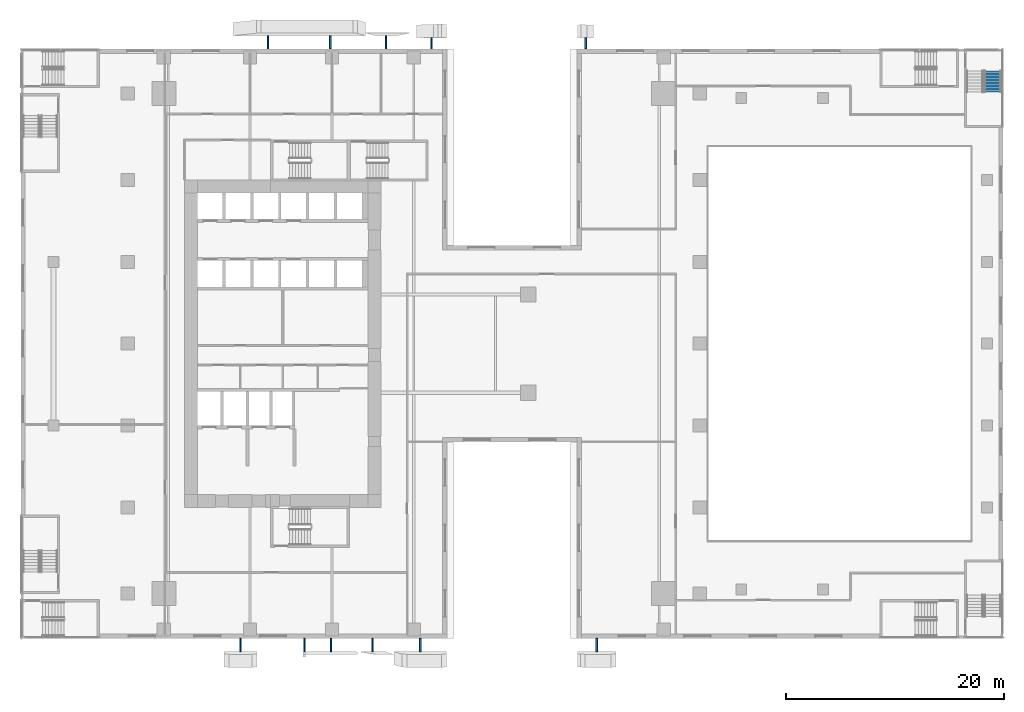
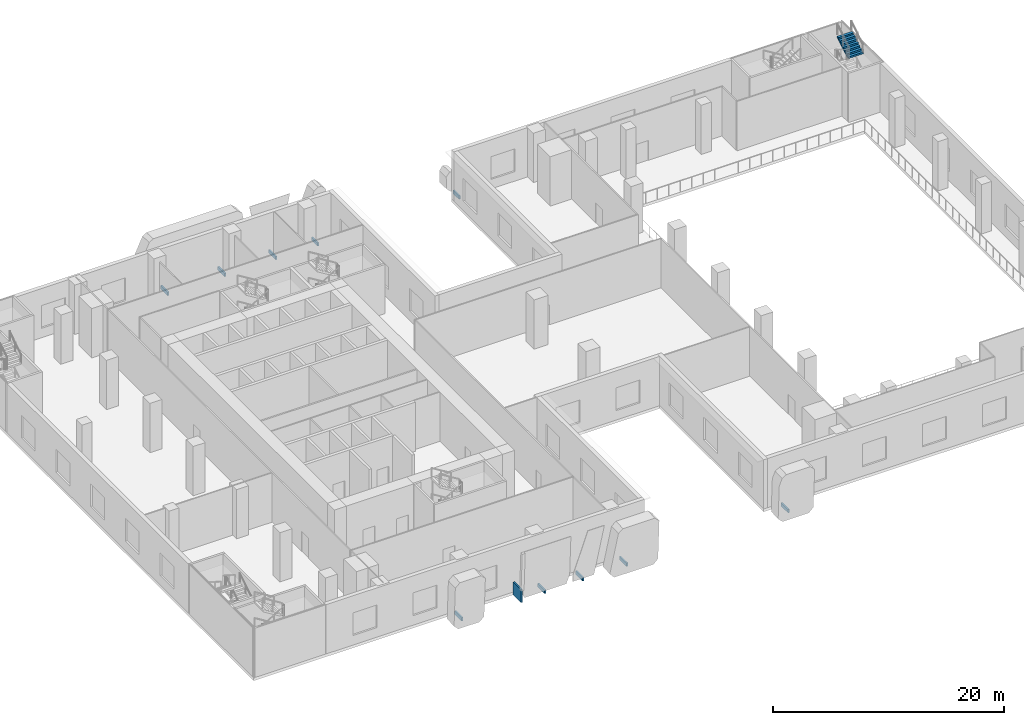
# One storey, part 16 of 23: 11 discrete accessories, 1 stair flight, 1 element without a shape of its own.
"""IFC4 building model written with IfcOpenShell, lengths in metres."""

from ifc_helpers import new_model, si_unit, direction, frame, origin, origin_2d, place, context, subcontext, project, spatial, polyline, rectangle, outline, extrude, source, transform, mapped, material, type_object, element, aggregate, save


model = new_model("IFC4")

# Units and contexts
model_context = context("Model", 3, precision=1e-05, world=origin(), true_north=direction((0.0, 1.0)))
body_context = subcontext(model_context, "Body", "Model", "MODEL_VIEW")
ifc_project = project(units=[si_unit("LENGTHUNIT", "METRE"), si_unit("AREAUNIT", "SQUARE_METRE"), si_unit("VOLUMEUNIT", "CUBIC_METRE"), si_unit("PLANEANGLEUNIT", "RADIAN"), si_unit("MASSUNIT", "GRAM", prefix="KILO")], contexts=[model_context])

# Site, building, storey
site_placement = place(None, origin())
site = spatial("IfcSite", under=ifc_project, at=site_placement, CompositionType="ELEMENT")
building_placement = place(site_placement, origin())
building = spatial("IfcBuilding", under=site, at=building_placement, Name="Khomas Fold Tower", CompositionType="ELEMENT")
storey_placement = place(building_placement, frame((0.0, 0.0, 13.0)))
storey = spatial("IfcBuildingStorey", under=building, at=storey_placement, Name="L02", CompositionType="ELEMENT", Elevation=13.0)

# Stair, stair flight
ifc_material_1 = material(Name="Concrete C40/50", Category="concrete")
stair_type = type_object("IfcStairType", Name="Stair PS6", PredefinedType="HALF_TURN_STAIR", material=ifc_material_1)
stair_placement = place(storey_placement, origin())
stair = element("IfcStair", 1, at=stair_placement, inside=storey, type_object=stair_type, Name="L02 PS6", PredefinedType="HALF_TURN_STAIR")
ifc_material_2 = material(Name="Concrete C40/50", Category="concrete")
stair_flight_type = type_object("IfcStairFlightType", Name="Stair flight 1500 PS6", PredefinedType="STRAIGHT", material=ifc_material_2)
shared_shape_1 = source(origin(), body_context, "Body", "SweptSolid", [
    extrude(outline(polyline([(0.0, 0.0), (0.0, 0.00146484375), (0.0, 0.0029296875), (0.0, 0.004150390625), (0.0, 0.005615234375), (0.0, 0.007080078125), (0.0, 0.008544921875), (0.0, 0.010009765625), (0.0, 0.011474609375), (0.0, 0.0126953125), (0.0, 0.01416015625), (0.0, 0.015625), (0.0, 0.01708984375), (0.0, 0.0185546875), (0.0, 0.019775390625), (0.0, 0.021240234375), (0.0, 0.022705078125), (0.0, 0.024169921875), (0.0, 0.025634765625), (0.0, 0.027099609375), (0.0, 0.0283203125), (0.0, 0.02978515625), (0.0, 0.03125), (0.0, 0.03271484375), (0.0, 0.0341796875), (0.0, 0.035400390625), (0.0, 0.036865234375), (0.0, 0.038330078125), (0.0, 0.039794921875), (0.0, 0.041259765625), (0.0, 0.042724609375), (0.0, 0.0439453125), (0.0, 0.04541015625), (0.0, 0.046875), (0.0, 0.04833984375), (0.0, 0.0498046875), (0.0, 0.051025390625), (0.0, 0.052490234375), (0.0, 0.053955078125), (0.0, 0.055419921875), (0.0, 0.056884765625), (0.0, 0.058349609375), (0.0, 0.0595703125), (0.0, 0.06103515625), (0.0, 0.0625), (0.0, 0.06396484375), (0.0, 0.0654296875), (0.0, 0.066650390625), (0.0, 0.068115234375), (0.0, 0.069580078125), (0.0, 0.071044921875), (0.0, 0.072509765625), (0.0, 0.073974609375), (0.0, 0.0751953125), (0.0, 0.07666015625), (0.0, 0.078125), (0.0, 0.07958984375), (0.0, 0.0810546875), (0.0, 0.082275390625), (0.0, 0.083740234375), (0.0, 0.085205078125), (0.0, 0.086669921875), (0.0, 0.088134765625), (0.0, 0.089599609375), (0.0, 0.0908203125), (0.0, 0.09228515625), (0.0, 0.09375), (0.0, 0.09521484375), (0.0, 0.0966796875), (0.0, 0.097900390625), (0.0, 0.099365234375), (0.0, 0.100830078125), (0.0, 0.102294921875), (0.0, 0.103759765625), (0.0, 0.105224609375), (0.0, 0.1064453125), (0.0, 0.10791015625), (0.0, 0.109375), (0.0, 0.11083984375), (0.0, 0.1123046875), (0.0, 0.113525390625), (0.0, 0.114990234375), (0.0, 0.116455078125), (0.0, 0.117919921875), (0.0, 0.119384765625), (0.0, 0.120849609375), (0.0, 0.1220703125), (0.0, 0.12353515625), (0.0, 0.125), (0.0, 0.12646484375), (0.0, 0.1279296875), (0.0, 0.129150390625), (0.0, 0.130615234375), (0.0, 0.132080078125), (0.0, 0.133544921875), (0.0, 0.135009765625), (0.0, 0.136474609375), (0.0, 0.1376953125), (0.0, 0.13916015625), (0.0, 0.140625), (0.0, 0.14208984375), (0.0, 0.1435546875), (0.0, 0.144775390625), (0.0, 0.146240234375), (0.0, 0.147705078125), (0.0, 0.149169921875), (0.0, 0.150634765625), (0.0, 0.152099609375), (0.0, 0.1533203125), (0.0, 0.15478515625), (0.0, 0.15625), (0.0, 0.15771484375), (0.0, 0.1591796875), (0.0, 0.160400390625), (0.0, 0.161865234375), (0.0, 0.163330078125), (0.0, 0.164794921875), (0.0, 0.166259765625), (0.0, 0.167724609375), (0.0, 0.1689453125), (0.0, 0.17041015625), (0.0, 0.171875), (0.280029296875, 0.171875), (0.280029296875, 0.34375), (0.56005859375, 0.34375), (0.56005859375, 0.515625), (0.840087890625, 0.515625), (0.840087890625, 0.6875), (1.1201171875, 0.6875), (1.1201171875, 0.859375), (1.39990234375, 0.859375), (1.39990234375, 1.03125), (1.679931640625, 1.03125), (1.679931640625, 1.203125), (1.9599609375, 1.203125), (1.9599609375, 1.375), (1.9599609375, 1.3720703125), (1.9599609375, 1.369140625), (1.9599609375, 1.366455078125), (1.9599609375, 1.363525390625), (1.9599609375, 1.360595703125), (1.9599609375, 1.357666015625), (1.9599609375, 1.35498046875), (1.9599609375, 1.35205078125), (1.9599609375, 1.34912109375), (1.9599609375, 1.34619140625), (1.9599609375, 1.343505859375), (1.9599609375, 1.340576171875), (1.9599609375, 1.337646484375), (1.9599609375, 1.334716796875), (1.9599609375, 1.331787109375), (1.9599609375, 1.3291015625), (1.9599609375, 1.326171875), (1.9599609375, 1.3232421875), (1.9599609375, 1.3203125), (1.9599609375, 1.317626953125), (1.9599609375, 1.314697265625), (1.9599609375, 1.311767578125), (1.9599609375, 1.308837890625), (1.9599609375, 1.305908203125), (1.9599609375, 1.30322265625), (1.9599609375, 1.30029296875), (1.9599609375, 1.29736328125), (1.9599609375, 1.29443359375), (1.9599609375, 1.291748046875), (1.9599609375, 1.288818359375), (1.9599609375, 1.285888671875), (1.9599609375, 1.282958984375), (1.9599609375, 1.2802734375), (1.9599609375, 1.27734375), (1.9599609375, 1.2744140625), (1.9599609375, 1.271484375), (1.9599609375, 1.2685546875), (1.9599609375, 1.265869140625), (1.9599609375, 1.262939453125), (1.9599609375, 1.260009765625), (1.9599609375, 1.257080078125), (1.9599609375, 1.25439453125), (1.9599609375, 1.25146484375), (1.9599609375, 1.24853515625), (1.9599609375, 1.24560546875), (1.9599609375, 1.24267578125), (1.9599609375, 1.239990234375), (1.9599609375, 1.237060546875), (1.9599609375, 1.234130859375), (1.9599609375, 1.231201171875), (1.9599609375, 1.228515625), (1.9599609375, 1.2255859375), (1.9599609375, 1.22265625), (1.9599609375, 1.2197265625), (1.9599609375, 1.217041015625), (1.9599609375, 1.214111328125), (1.9599609375, 1.211181640625), (1.9599609375, 1.208251953125), (1.9599609375, 1.205322265625), (1.9599609375, 1.20263671875), (1.9599609375, 1.19970703125), (1.9599609375, 1.19677734375), (1.9599609375, 1.19384765625), (1.9599609375, 1.191162109375), (1.9599609375, 1.188232421875), (1.9599609375, 1.185302734375), (1.9599609375, 1.182373046875), (1.9599609375, 1.179443359375), (1.9599609375, 1.1767578125), (1.9599609375, 1.173828125), (1.9599609375, 1.1708984375), (1.9599609375, 1.16796875), (1.9599609375, 1.165283203125), (1.9599609375, 1.162353515625), (1.9599609375, 1.159423828125), (1.9599609375, 1.156494140625), (1.9599609375, 1.15380859375), (1.9599609375, 1.15087890625), (1.9599609375, 1.14794921875), (1.9599609375, 1.14501953125), (1.9599609375, 1.14208984375), (1.9599609375, 1.139404296875), (1.9599609375, 1.136474609375), (1.9599609375, 1.133544921875), (1.9599609375, 1.130615234375), (1.9599609375, 1.1279296875), (1.9599609375, 1.125), (1.9599609375, 1.1220703125), (1.9599609375, 1.119140625), (1.9599609375, 1.1162109375), (1.9599609375, 1.113525390625), (1.9599609375, 1.110595703125), (1.9599609375, 1.107666015625), (1.9599609375, 1.104736328125), (1.9599609375, 1.10205078125), (1.9599609375, 1.09912109375), (1.9599609375, 1.09619140625), (1.9599609375, 1.09326171875), (1.9599609375, 1.090576171875), (1.9599609375, 1.087646484375), (1.9599609375, 1.084716796875), (1.9599609375, 1.081787109375), (1.9599609375, 1.078857421875), (1.9599609375, 1.076171875), (1.9599609375, 1.0732421875), (1.9599609375, 1.0703125), (1.9599609375, 1.0673828125), (1.9599609375, 1.064697265625), (1.9599609375, 1.061767578125), (1.9599609375, 1.058837890625), (1.9599609375, 1.055908203125), (1.9599609375, 1.05322265625), (1.9599609375, 1.05029296875), (1.9599609375, 1.04736328125), (1.9599609375, 1.04443359375), (1.9599609375, 1.04150390625), (1.9599609375, 1.038818359375), (1.9599609375, 1.035888671875), (1.9599609375, 1.032958984375), (1.9599609375, 1.030029296875), (1.9599609375, 1.02734375), (0.28662109375, 0.0), (0.0, 0.0)])), frame((0.0, 0.75, 0.0), z_axis=(0.0, -1.0, 0.0), x_axis=(1.0, 0.0, 0.0)), (0.0, 0.0, 1.0), 1.5),
])
stair_flight_placement = place(storey_placement, frame((80.050048828125, 50.0400390625, 4.125), z_axis=(0.0, 0.0, 1.0), x_axis=(0.0, 1.0, 0.0)))
stair_flight = element("IfcStairFlight", 2, at=stair_flight_placement, type_object=stair_flight_type, Name="PS6 flight 4", NumberOfRisers=8, NumberOfTreads=7, PredefinedType="STRAIGHT", RiserHeight=0.171875, TreadLength=0.28, context=body_context, shape_type="MappedRepresentation", body=[
    mapped(shared_shape_1, transform((0.0, 0.0, 0.0))),
])
aggregate(stair, [stair_flight])

# Discrete accessories
ifc_material_3 = material(Name="Stainless steel", Category="steel")
discrete_accessory_type = type_object("IfcDiscreteAccessoryType", Name="SK-Stainless steel stone bracket", PredefinedType="BRACKET", material=ifc_material_3)
shared_shape_2 = source(origin(), body_context, "Body", "SweptSolid", [
    extrude(rectangle(XDim=1.21484375, YDim=0.14990234375, at=origin_2d()), origin(), (0.0, 0.0, 1.0), 0.360107421875),
])
for number, where, z_axis, x_axis, name in (
    (3, (11.1298828125, -0.607421875, -0.30029296875), (0.0, 0.0, 1.0), (0.0, -1.0, 0.0), "Stone bracket L02 SS03-1-1"),
    (4, (27.595947265625, -0.607421875, -0.30029296875), (0.0, 0.0, 1.0), (0.0, -1.0, 0.0), "Stone bracket L02 SS06-2-1"),
    (5, (43.760009765625, -0.607421875, -0.30029296875), (0.0, 0.0, 1.0), (0.0, -1.0, 0.0), "Stone bracket L02 SS09-3-1"),
    (6, (13.65771484375, 54.607421875, -0.30029296875), (0.0, 0.0, 1.0), (0.0, 1.0, 0.0), "Stone bracket L02 NS05-1-1"),
    (7, (19.355712890625, 54.607421875, -0.30029296875), (0.0, 0.0, 1.0), (0.0, 1.0, 0.0), "Stone bracket L02 NS05-1-2"),
    (8, (23.23193359375, -0.607421875, -0.30029296875), (0.0, 0.0, 1.0), (0.0, -1.0, 0.0), "Stone bracket L02 SG102-1-1"),
    (9, (19.430419921875, -0.607421875, -0.30029296875), (0.0, 0.0, 1.0), (0.0, -1.0, 0.0), "Stone bracket L02 SG101-3-1"),
    (10, (24.449951171875, 54.607421875, -0.30029296875), (0.0, 0.0, 1.0), (0.0, 1.0, 0.0), "Stone bracket L02 NG102-1-1"),
):
    element("IfcDiscreteAccessory", number, at=place(storey_placement, frame(where, z_axis=z_axis, x_axis=x_axis)), inside=storey, type_object=discrete_accessory_type, Name=name, PredefinedType="BRACKET", context=body_context, shape_type="MappedRepresentation", body=[
        mapped(shared_shape_2, transform((0.0, 0.0, 0.0))),
    ])
shared_shape_3 = source(origin(), body_context, "Body", "SweptSolid", [
    extrude(rectangle(XDim=1.011962890625, YDim=0.14990234375, at=origin_2d()), origin(), (0.0, 0.0, 1.0), 0.360107421875),
])
for number, where, z_axis, x_axis, name in (
    (11, (42.753173828125, 54.505859375, -0.30029296875), (0.0, 0.0, 1.0), (0.0, 1.0, 0.0), "Stone bracket L02 NS08-2-1"),
    (12, (28.614013671875, 54.505859375, -0.30029296875), (0.0, 0.0, 1.0), (0.0, 1.0, 0.0), "Stone bracket L02 NS08-3-1"),
):
    element("IfcDiscreteAccessory", number, at=place(storey_placement, frame(where, z_axis=z_axis, x_axis=x_axis)), inside=storey, type_object=discrete_accessory_type, Name=name, PredefinedType="BRACKET", context=body_context, shape_type="MappedRepresentation", body=[
        mapped(shared_shape_3, transform((0.0, 0.0, 0.0))),
    ])
shared_shape_4 = source(origin(), body_context, "Body", "SweptSolid", [
    extrude(rectangle(XDim=1.3623046875, YDim=0.14990234375, at=origin_2d()), origin(), (0.0, 0.0, 1.0), 1.360107421875),
])
discrete_accessory_placement = place(storey_placement, frame((17.0, -0.68115234375, -0.30029296875), z_axis=(0.0, 0.0, 1.0), x_axis=(0.0, -1.0, 0.0)))
element("IfcDiscreteAccessory", 13, at=discrete_accessory_placement, inside=storey, type_object=discrete_accessory_type, Name="Stone bracket L02 SM101-2-1", PredefinedType="BRACKET", context=body_context, shape_type="MappedRepresentation", body=[
    mapped(shared_shape_4, transform((0.0, 0.0, 0.0))),
])

save(model, "model.ifc")
